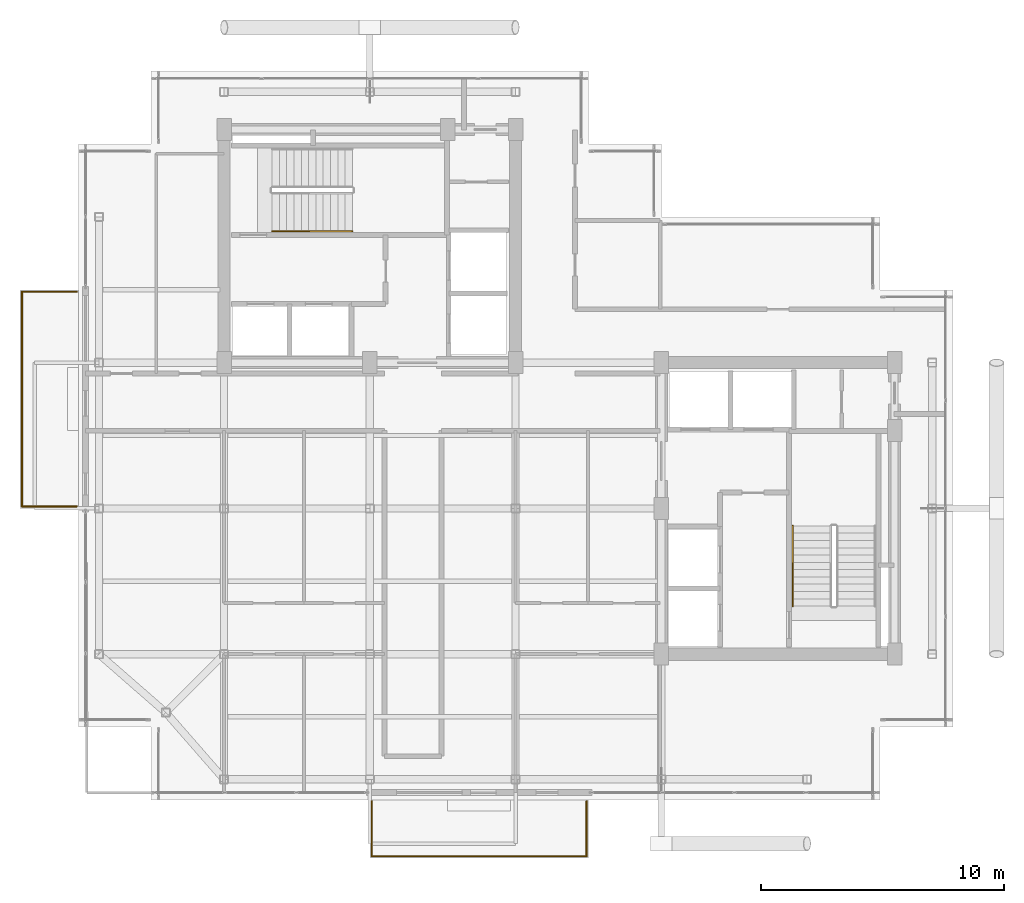
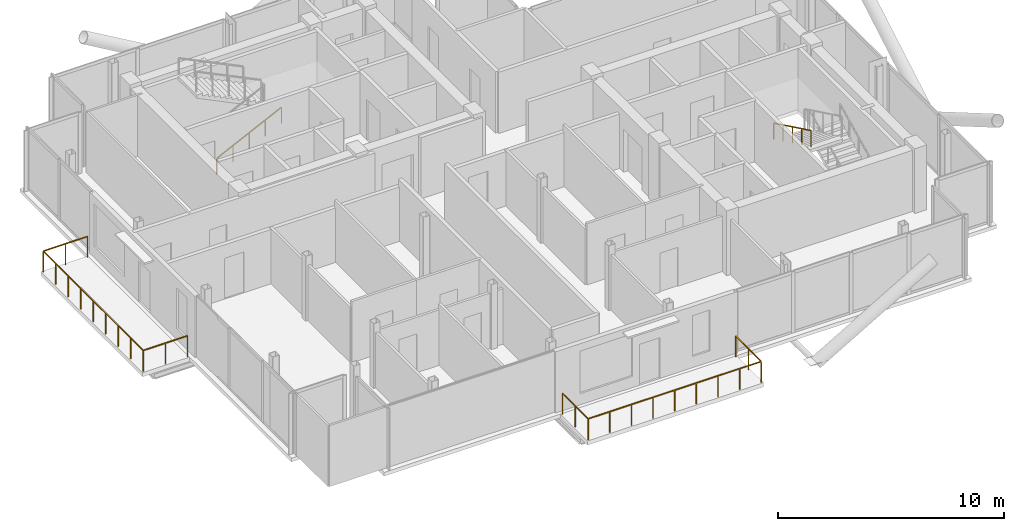
# One storey, part 17 of 18: 4 railings.
"""IFC4 building model written with IfcOpenShell, lengths in metres."""

from ifc_helpers import new_model, si_unit, direction, frame, origin, origin_2d, place, context, subcontext, project, spatial, rectangle, extrude, material, type_object, element, save


model = new_model("IFC4")

# Units and contexts
model_context = context("Model", 3, precision=1e-05, world=origin(), true_north=direction((0.0, 1.0)))
body_context = subcontext(model_context, "Body", "Model", "MODEL_VIEW")
ifc_project = project(units=[si_unit("LENGTHUNIT", "METRE"), si_unit("AREAUNIT", "SQUARE_METRE"), si_unit("VOLUMEUNIT", "CUBIC_METRE"), si_unit("PLANEANGLEUNIT", "RADIAN"), si_unit("MASSUNIT", "GRAM", prefix="KILO"), si_unit("THERMODYNAMICTEMPERATUREUNIT", "KELVIN"), si_unit("POWERUNIT", "WATT")], contexts=[model_context])

# Site, building, storey
site_placement = place(None, origin())
site = spatial("IfcSite", under=ifc_project, at=site_placement, CompositionType="ELEMENT")
building_placement = place(site_placement, origin())
building = spatial("IfcBuilding", under=site, at=building_placement, Name="Svarakhadi Broadcast Tower", CompositionType="ELEMENT")
storey_placement = place(building_placement, frame((0.0, 0.0, 253.699951171875)))
storey = spatial("IfcBuildingStorey", under=building, at=storey_placement, Name="L63", CompositionType="ELEMENT", Elevation=253.699951171875)

# Railings
ifc_material_1 = material(Name="Laminated Structural SentryGlas Balustrade 25.5 mm", Category="glass")
railing_type_1 = type_object("IfcRailingType", Name="Guard_Balcony_GR01", PredefinedType="BALUSTRADE", material=ifc_material_1)
railing_1_placement = place(storey_placement, frame((12.080078125, -0.06005859375, 0.0)))
element("IfcRailing", 1, at=railing_1_placement, inside=storey, type_object=railing_type_1, Name="L63 South Tree Balcony Guard GR-05", PredefinedType="BALUSTRADE", context=body_context, shape_type="SweptSolid", body=[
    extrude(rectangle(XDim=0.048095703125, YDim=0.048095703125, at=origin_2d()), frame((0.0, 0.0, 1.1259765625), z_axis=(0.0, -1.0, 0.0), x_axis=(1.0, 0.0, 0.0)), (0.0, 0.0, 1.0), 2.260009765625),
    extrude(rectangle(XDim=0.048095703125, YDim=0.048095703125, at=origin_2d()), frame((0.0, -2.260009765625, 1.1259765625), z_axis=(1.0, 0.0, 0.0), x_axis=(0.0, 1.0, 0.0)), (0.0, 0.0, 1.0), 8.83984375),
    extrude(rectangle(XDim=0.048095703125, YDim=0.048095703125, at=origin_2d()), frame((8.83984375, -2.260009765625, 1.1259765625), z_axis=(0.0, 1.0, 0.0), x_axis=(-1.0, 0.0, 0.0)), (0.0, 0.0, 1.0), 2.260009765625),
    extrude(rectangle(XDim=0.0419921875, YDim=0.0419921875, at=origin_2d()), origin(), (0.0, 0.0, 1.0), 1.101806640625),
    extrude(rectangle(XDim=0.0419921875, YDim=0.0419921875, at=origin_2d()), frame((0.0, -1.1298828125, 0.0)), (0.0, 0.0, 1.0), 1.101806640625),
    extrude(rectangle(XDim=0.0419921875, YDim=0.0419921875, at=origin_2d()), frame((0.0, -2.260009765625, 0.0)), (0.0, 0.0, 1.0), 1.101806640625),
    extrude(rectangle(XDim=0.0419921875, YDim=0.0419921875, at=origin_2d()), frame((1.10498046875, -2.260009765625, 0.0)), (0.0, 0.0, 1.0), 1.101806640625),
    extrude(rectangle(XDim=0.0419921875, YDim=0.0419921875, at=origin_2d()), frame((2.2099609375, -2.260009765625, 0.0)), (0.0, 0.0, 1.0), 1.101806640625),
    extrude(rectangle(XDim=0.0419921875, YDim=0.0419921875, at=origin_2d()), frame((3.31494140625, -2.260009765625, 0.0)), (0.0, 0.0, 1.0), 1.101806640625),
    extrude(rectangle(XDim=0.0419921875, YDim=0.0419921875, at=origin_2d()), frame((4.419921875, -2.260009765625, 0.0)), (0.0, 0.0, 1.0), 1.101806640625),
    extrude(rectangle(XDim=0.0419921875, YDim=0.0419921875, at=origin_2d()), frame((5.52490234375, -2.260009765625, 0.0)), (0.0, 0.0, 1.0), 1.101806640625),
    extrude(rectangle(XDim=0.0419921875, YDim=0.0419921875, at=origin_2d()), frame((6.6298828125, -2.260009765625, 0.0)), (0.0, 0.0, 1.0), 1.101806640625),
    extrude(rectangle(XDim=0.0419921875, YDim=0.0419921875, at=origin_2d()), frame((7.73486328125, -2.260009765625, 0.0)), (0.0, 0.0, 1.0), 1.101806640625),
    extrude(rectangle(XDim=0.0419921875, YDim=0.0419921875, at=origin_2d()), frame((8.83984375, -2.260009765625, 0.0)), (0.0, 0.0, 1.0), 1.101806640625),
    extrude(rectangle(XDim=0.0419921875, YDim=0.0419921875, at=origin_2d()), frame((8.83984375, -1.1298828125, 0.0)), (0.0, 0.0, 1.0), 1.101806640625),
    extrude(rectangle(XDim=0.0419921875, YDim=0.0419921875, at=origin_2d()), frame((8.83984375, 0.0, 0.0)), (0.0, 0.0, 1.0), 1.101806640625),
])
railing_2_placement = place(storey_placement, frame((-0.06005859375, 12.080078125, 0.0)))
element("IfcRailing", 2, at=railing_2_placement, inside=storey, type_object=railing_type_1, Name="L63 West Tree Balcony Guard GR-05", PredefinedType="BALUSTRADE", context=body_context, shape_type="SweptSolid", body=[
    extrude(rectangle(XDim=0.048095703125, YDim=0.048095703125, at=origin_2d()), frame((0.0, 0.0, 1.1259765625), z_axis=(-1.0, 0.0, 0.0), x_axis=(0.0, -1.0, 0.0)), (0.0, 0.0, 1.0), 2.260009765625),
    extrude(rectangle(XDim=0.048095703125, YDim=0.048095703125, at=origin_2d()), frame((-2.260009765625, 0.0, 1.1259765625), z_axis=(0.0, 1.0, 0.0), x_axis=(-1.0, 0.0, 0.0)), (0.0, 0.0, 1.0), 8.83984375),
    extrude(rectangle(XDim=0.048095703125, YDim=0.048095703125, at=origin_2d()), frame((-2.260009765625, 8.83984375, 1.1259765625), z_axis=(1.0, 0.0, 0.0), x_axis=(0.0, 1.0, 0.0)), (0.0, 0.0, 1.0), 2.260009765625),
    extrude(rectangle(XDim=0.0419921875, YDim=0.0419921875, at=origin_2d()), origin(), (0.0, 0.0, 1.0), 1.101806640625),
    extrude(rectangle(XDim=0.0419921875, YDim=0.0419921875, at=origin_2d()), frame((-1.1298828125, 0.0, 0.0)), (0.0, 0.0, 1.0), 1.101806640625),
    extrude(rectangle(XDim=0.0419921875, YDim=0.0419921875, at=origin_2d()), frame((-2.260009765625, 0.0, 0.0)), (0.0, 0.0, 1.0), 1.101806640625),
    extrude(rectangle(XDim=0.0419921875, YDim=0.0419921875, at=origin_2d()), frame((-2.260009765625, 1.10498046875, 0.0)), (0.0, 0.0, 1.0), 1.101806640625),
    extrude(rectangle(XDim=0.0419921875, YDim=0.0419921875, at=origin_2d()), frame((-2.260009765625, 2.2099609375, 0.0)), (0.0, 0.0, 1.0), 1.101806640625),
    extrude(rectangle(XDim=0.0419921875, YDim=0.0419921875, at=origin_2d()), frame((-2.260009765625, 3.31494140625, 0.0)), (0.0, 0.0, 1.0), 1.101806640625),
    extrude(rectangle(XDim=0.0419921875, YDim=0.0419921875, at=origin_2d()), frame((-2.260009765625, 4.419921875, 0.0)), (0.0, 0.0, 1.0), 1.101806640625),
    extrude(rectangle(XDim=0.0419921875, YDim=0.0419921875, at=origin_2d()), frame((-2.260009765625, 5.52490234375, 0.0)), (0.0, 0.0, 1.0), 1.101806640625),
    extrude(rectangle(XDim=0.0419921875, YDim=0.0419921875, at=origin_2d()), frame((-2.260009765625, 6.6298828125, 0.0)), (0.0, 0.0, 1.0), 1.101806640625),
    extrude(rectangle(XDim=0.0419921875, YDim=0.0419921875, at=origin_2d()), frame((-2.260009765625, 7.73486328125, 0.0)), (0.0, 0.0, 1.0), 1.101806640625),
    extrude(rectangle(XDim=0.0419921875, YDim=0.0419921875, at=origin_2d()), frame((-2.260009765625, 8.83984375, 0.0)), (0.0, 0.0, 1.0), 1.101806640625),
    extrude(rectangle(XDim=0.0419921875, YDim=0.0419921875, at=origin_2d()), frame((-1.1298828125, 8.83984375, 0.0)), (0.0, 0.0, 1.0), 1.101806640625),
    extrude(rectangle(XDim=0.0419921875, YDim=0.0419921875, at=origin_2d()), frame((0.0, 8.83984375, 0.0)), (0.0, 0.0, 1.0), 1.101806640625),
])
ifc_material_2 = material(Name="Anodised Bronze Aluminium AA 6063-T6", Category="aluminium")
railing_type_2 = type_object("IfcRailingType", Name="Handrail_Stair_HR01", PredefinedType="HANDRAIL", material=ifc_material_2)
railing_3_placement = place(storey_placement, frame((7.97998046875, 23.409912109375, 0.14599609375)))
element("IfcRailing", 3, at=railing_3_placement, inside=storey, type_object=railing_type_2, Name="L63 ST-01 stair handrail 1", PredefinedType="HANDRAIL", context=body_context, shape_type="SweptSolid", body=[
    extrude(rectangle(XDim=0.048095703125, YDim=0.048095703125, at=origin_2d()), frame((0.0, 0.0, 0.8759765625), z_axis=(0.899387838337, 0.0, 0.437151594131), x_axis=(0.0, 1.0, 0.0)), (0.0, 0.0, 1.0), 3.669189453125),
    extrude(rectangle(XDim=0.0419921875, YDim=0.0419921875, at=origin_2d()), origin(), (0.0, 0.0, 1.0), 0.851806640625),
    extrude(rectangle(XDim=0.0419921875, YDim=0.0419921875, at=origin_2d()), frame((0.824951171875, 0.0, 0.40087890625)), (0.0, 0.0, 1.0), 0.851806640625),
    extrude(rectangle(XDim=0.0419921875, YDim=0.0419921875, at=origin_2d()), frame((1.64990234375, 0.0, 0.802001953125)), (0.0, 0.0, 1.0), 0.851806640625),
    extrude(rectangle(XDim=0.0419921875, YDim=0.0419921875, at=origin_2d()), frame((2.47509765625, 0.0, 1.203125)), (0.0, 0.0, 1.0), 0.851806640625),
    extrude(rectangle(XDim=0.0419921875, YDim=0.0419921875, at=origin_2d()), frame((3.300048828125, 0.0, 1.60400390625)), (0.0, 0.0, 1.0), 0.851806640625),
])
railing_4_placement = place(storey_placement, frame((29.409912109375, 11.280029296875, 1.89599609375)))
element("IfcRailing", 4, at=railing_4_placement, inside=storey, type_object=railing_type_2, Name="L63 ST-02 stair handrail 2", PredefinedType="HANDRAIL", context=body_context, shape_type="SweptSolid", body=[
    extrude(rectangle(XDim=0.048095703125, YDim=0.048095703125, at=origin_2d()), frame((0.0, 0.0, 0.8759765625), z_axis=(0.0, -0.899387838337, 0.437151594131), x_axis=(1.0, 0.0, 0.0)), (0.0, 0.0, 1.0), 3.669189453125),
    extrude(rectangle(XDim=0.0419921875, YDim=0.0419921875, at=origin_2d()), origin(), (0.0, 0.0, 1.0), 0.851806640625),
    extrude(rectangle(XDim=0.0419921875, YDim=0.0419921875, at=origin_2d()), frame((0.0, -0.824951171875, 0.40087890625)), (0.0, 0.0, 1.0), 0.851806640625),
    extrude(rectangle(XDim=0.0419921875, YDim=0.0419921875, at=origin_2d()), frame((0.0, -1.64990234375, 0.802001953125)), (0.0, 0.0, 1.0), 0.851806640625),
    extrude(rectangle(XDim=0.0419921875, YDim=0.0419921875, at=origin_2d()), frame((0.0, -2.47509765625, 1.203125)), (0.0, 0.0, 1.0), 0.851806640625),
    extrude(rectangle(XDim=0.0419921875, YDim=0.0419921875, at=origin_2d()), frame((0.0, -3.300048828125, 1.60400390625)), (0.0, 0.0, 1.0), 0.851806640625),
])

save(model, "model.ifc")
